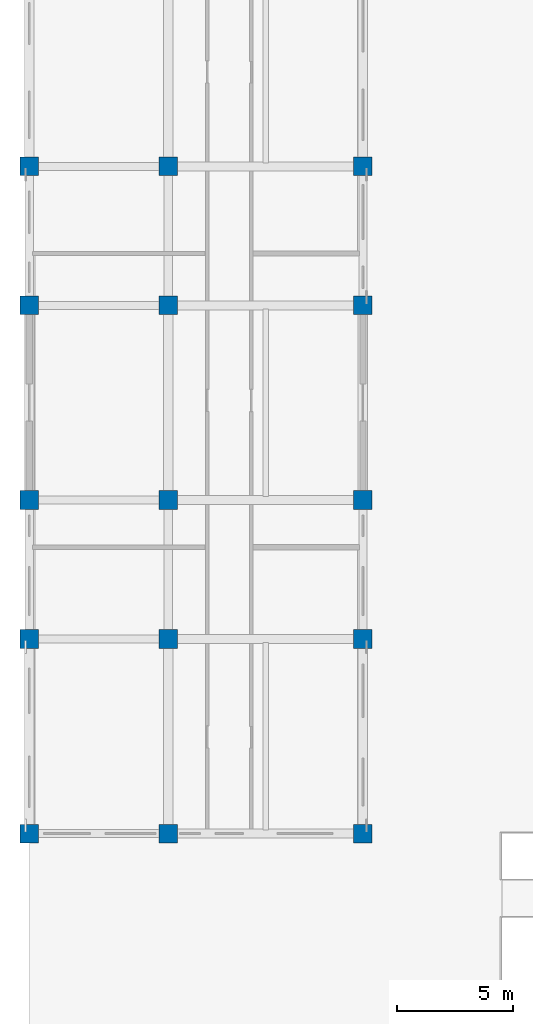
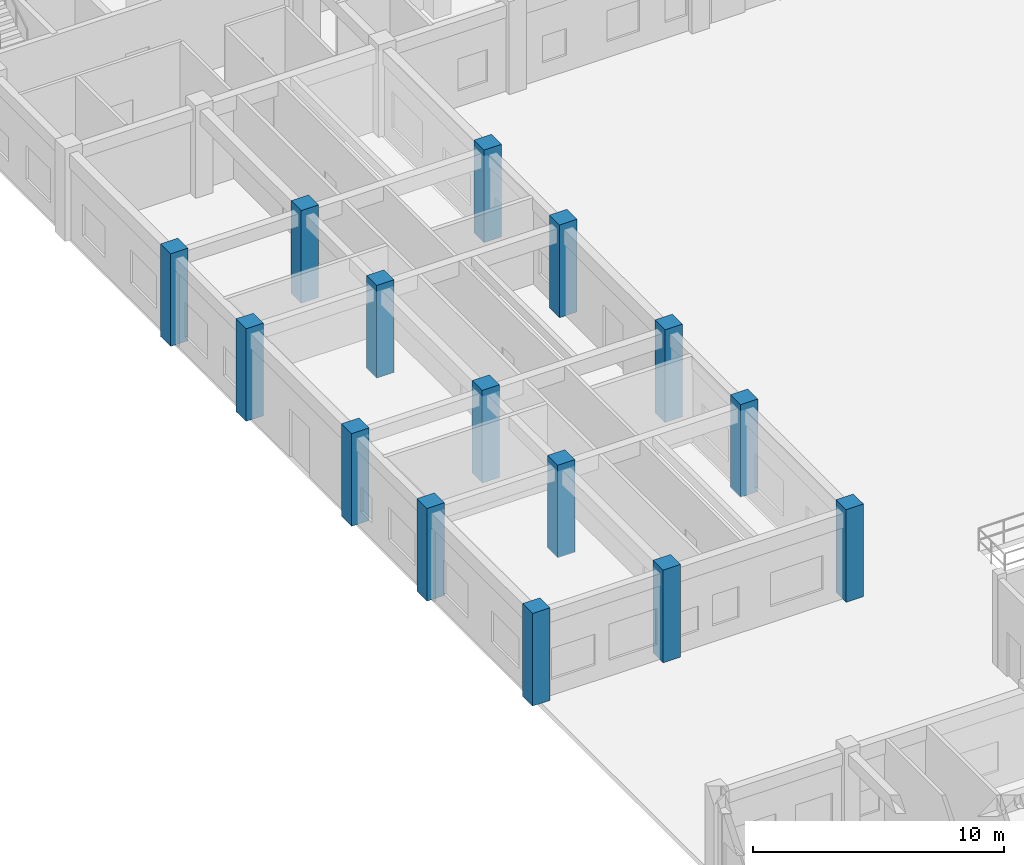
# One storey, part 5 of 67: 15 columns.
"""IFC4 building model written with IfcOpenShell, lengths in metres."""

from ifc_helpers import new_model, si_unit, direction, frame, origin, origin_2d, place, context, subcontext, project, spatial, rectangle, extrude, material, material_profile, profile_set, type_object, element, save


model = new_model("IFC4")

# Units and contexts
model_context = context("Model", 3, precision=1e-05, world=origin(), true_north=direction((0.0, 1.0)))
body_context = subcontext(model_context, "Body", "Model", "MODEL_VIEW")
ifc_project = project(units=[si_unit("LENGTHUNIT", "METRE"), si_unit("AREAUNIT", "SQUARE_METRE"), si_unit("VOLUMEUNIT", "CUBIC_METRE"), si_unit("PLANEANGLEUNIT", "RADIAN"), si_unit("MASSUNIT", "GRAM", prefix="KILO"), si_unit("THERMODYNAMICTEMPERATUREUNIT", "KELVIN")], contexts=[model_context])

# Site, building, storey
site_placement = place(None, origin())
site = spatial("IfcSite", under=ifc_project, at=site_placement, CompositionType="ELEMENT")
building_placement = place(site_placement, origin())
building = spatial("IfcBuilding", under=site, at=building_placement, Name="Thalorik Housing Commons", CompositionType="ELEMENT")
storey_placement = place(building_placement, origin())
storey = spatial("IfcBuildingStorey", under=building, at=storey_placement, Name="L00", CompositionType="ELEMENT", Elevation=0.0)

# Columns
ifc_material = material(Name="Precast concrete C40/50", Category="concrete")
ifc_material_profile = material_profile(ifc_material, rectangle(XDim=0.800048828125, YDim=0.800048828125, at=origin_2d()), Name="PC 800x800", Category="concrete")
ifc_profile_set = profile_set([ifc_material_profile], Name="Precast concrete C40/50")
column_type = type_object("IfcColumnType", Name="STR-COL-PC800", PredefinedType="COLUMN", material=ifc_profile_set)
for number, where, z_axis, x_axis, name in (
    (1, (8.39990234375, 72.0, 0.0), (0.0, 0.0, 1.0), (1.0, 0.0, 0.0), "L00 Column C-800"),
    (2, (8.39990234375, 80.39990234375, 0.0), (0.0, 0.0, 1.0), (1.0, 0.0, 0.0), "L00 Column C-800"),
    (3, (8.39990234375, 86.39990234375, 0.0), (0.0, 0.0, 1.0), (1.0, 0.0, 0.0), "L00 Column C-800"),
    (4, (8.39990234375, 94.800048828125, 0.0), (0.0, 0.0, 1.0), (1.0, 0.0, 0.0), "L00 Column C-800"),
    (5, (8.39990234375, 100.800048828125, 0.0), (0.0, 0.0, 1.0), (1.0, 0.0, 0.0), "L00 Column C-800"),
    (6, (14.39990234375, 72.0, 0.0), (0.0, 0.0, 1.0), (1.0, 0.0, 0.0), "L00 Column C-800"),
    (7, (14.39990234375, 80.39990234375, 0.0), (0.0, 0.0, 1.0), (1.0, 0.0, 0.0), "L00 Column C-800"),
    (8, (14.39990234375, 86.39990234375, 0.0), (0.0, 0.0, 1.0), (1.0, 0.0, 0.0), "L00 Column C-800"),
    (9, (14.39990234375, 94.800048828125, 0.0), (0.0, 0.0, 1.0), (1.0, 0.0, 0.0), "L00 Column C-800"),
    (10, (14.39990234375, 100.800048828125, 0.0), (0.0, 0.0, 1.0), (1.0, 0.0, 0.0), "L00 Column C-800"),
    (11, (22.800048828125, 72.0, 0.0), (0.0, 0.0, 1.0), (1.0, 0.0, 0.0), "L00 Column C-800"),
    (12, (22.800048828125, 80.39990234375, 0.0), (0.0, 0.0, 1.0), (1.0, 0.0, 0.0), "L00 Column C-800"),
    (13, (22.800048828125, 86.39990234375, 0.0), (0.0, 0.0, 1.0), (1.0, 0.0, 0.0), "L00 Column C-800"),
    (14, (22.800048828125, 94.800048828125, 0.0), (0.0, 0.0, 1.0), (1.0, 0.0, 0.0), "L00 Column C-800"),
    (15, (22.800048828125, 100.800048828125, 0.0), (0.0, 0.0, 1.0), (1.0, 0.0, 0.0), "L00 Column C-800"),
):
    element("IfcColumn", number, at=place(storey_placement, frame(where, z_axis=z_axis, x_axis=x_axis)), inside=storey, type_object=column_type, Name=name, PredefinedType="COLUMN", context=body_context, shape_type="SweptSolid", body=[
        extrude(rectangle(XDim=0.800048828125, YDim=0.800048828125, at=origin_2d()), origin(), (0.0, 0.0, 1.0), 4.5),
    ])

save(model, "model.ifc")
